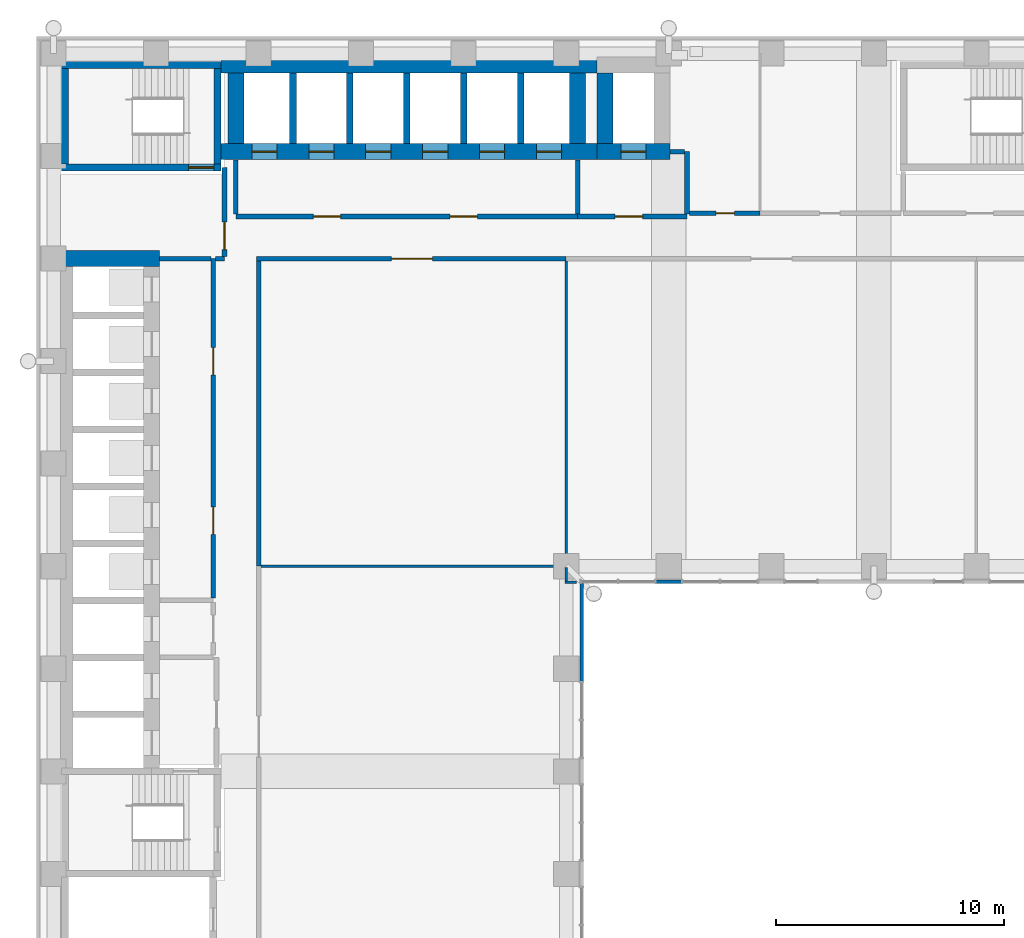
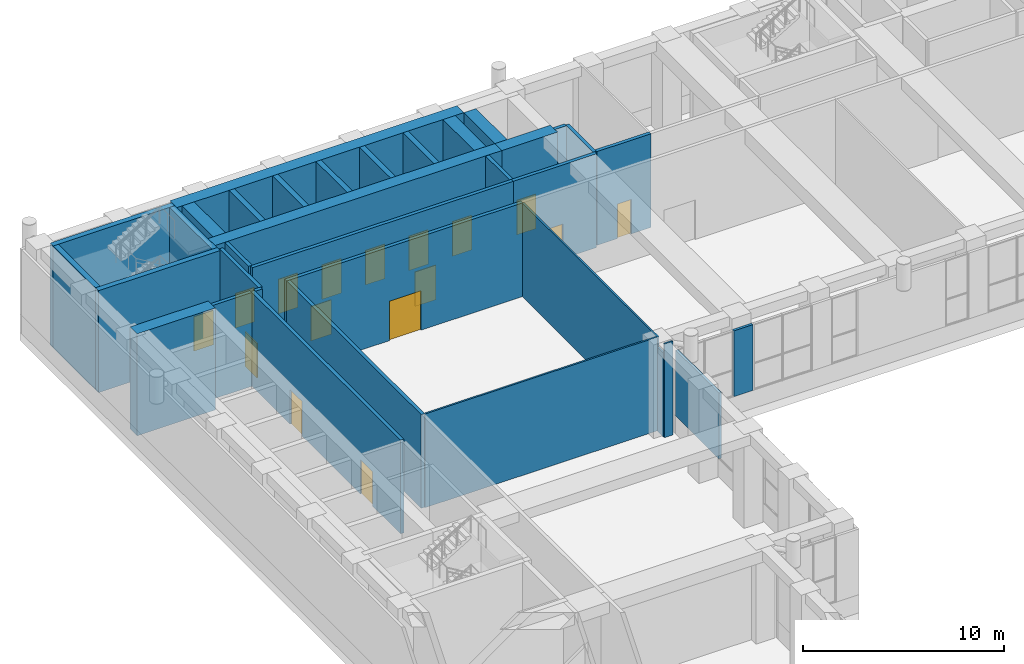
# One storey, part 15 of 22: 35 walls, 16 doors, 16 openings.
"""IFC4 building model written with IfcOpenShell, lengths in metres."""

import ifcopenshell
import ifcopenshell.guid

model = None  # the IFC model being written
_history = None  # IfcOwnerHistory: only IFC2X3 demands one
_inside = {}  # id of a spatial element -> (the spatial element, [elements in it])
_under = {}  # id of a project, library or spatial element -> (it, [spatial elements below it])
_declared = {}  # id of a project -> (the project, [libraries it declares])
_typed = {}  # id of a type object -> (the type object, [elements of that type])
_made_of = {}  # id of a material, layer set ... -> (it, [elements and type objects made of it])


def new_model(schema):
    """Start an empty IFC model of exactly this schema.

    Asked for "IFC4X3", IfcOpenShell would pick the latest addendum, in which some entities
    have other attributes; the version numbers below select the first issue.
    IFC2X3 requires an IfcOwnerHistory on every rooted entity: one is made here for all.
    """
    global model, _history
    if schema == "IFC4X3":
        model = ifcopenshell.file(schema_version=(4, 3, 0, 0))
    else:
        model = ifcopenshell.file(schema=schema)
    _inside.clear()
    _under.clear()
    _declared.clear()
    _typed.clear()
    _made_of.clear()
    _history = None
    if model.schema == "IFC2X3":
        org = make("IfcOrganization", Name="unknown")
        user = make(
            "IfcPersonAndOrganization",
            ThePerson=make("IfcPerson", FamilyName="unknown"),
            TheOrganization=org,
        )
        app = make(
            "IfcApplication",
            ApplicationDeveloper=org,
            Version="unknown",
            ApplicationFullName="unknown",
            ApplicationIdentifier="unknown",
        )
        _history = make(
            "IfcOwnerHistory",
            OwningUser=user,
            OwningApplication=app,
            ChangeAction="ADDED",
            CreationDate=0,
        )
    return model


def make(cls, **values):
    """One entity of the class cls with the attributes given. An attribute that is None is left unset."""
    return model.create_entity(
        cls, **{name: value for name, value in values.items() if value is not None}
    )


def rooted(cls, **values):
    """An entity with a GlobalId (a new one), such as an element, a storey or a relation."""
    return make(cls, GlobalId=ifcopenshell.guid.new(), OwnerHistory=_history, **values)


def si_unit(unit_type, name, prefix=None):
    """IfcSIUnit, for example si_unit("LENGTHUNIT", "METRE", prefix="MILLI")."""
    return make("IfcSIUnit", UnitType=unit_type, Prefix=prefix, Name=name)


def assignment(units):
    """IfcUnitAssignment: the units of a project."""
    return None if units is None else make("IfcUnitAssignment", Units=units)


def point(xyz):
    """IfcCartesianPoint."""
    return None if xyz is None else make("IfcCartesianPoint", Coordinates=xyz)


def direction(xyz):
    """IfcDirection."""
    return None if xyz is None else make("IfcDirection", DirectionRatios=xyz)


def frame(location, z_axis=None, x_axis=None):
    """IfcAxis2Placement3D, a coordinate frame: its origin and axes. An axis left out is left unset."""
    return make(
        "IfcAxis2Placement3D",
        Location=point(location),
        Axis=direction(z_axis),
        RefDirection=direction(x_axis),
    )


def frame_2d(location, x_axis=None):
    """IfcAxis2Placement2D, a coordinate frame in the plane: its origin and x axis."""
    return make(
        "IfcAxis2Placement2D", Location=point(location), RefDirection=direction(x_axis)
    )


def origin():
    """The frame at (0, 0, 0) with its axes left unset."""
    return frame((0.0, 0.0, 0.0))


def place(relative_to, where):
    """IfcLocalPlacement: puts the frame where relative to a parent placement (None: the world)."""
    return make(
        "IfcLocalPlacement", PlacementRelTo=relative_to, RelativePlacement=where
    )


def context(
    kind, dimensions, precision=None, world=None, true_north=None, identifier=None
):
    """IfcGeometricRepresentationContext, for example the 3D "Model" context."""
    return make(
        "IfcGeometricRepresentationContext",
        ContextIdentifier=identifier,
        ContextType=kind,
        CoordinateSpaceDimension=dimensions,
        Precision=precision,
        WorldCoordinateSystem=world,
        TrueNorth=true_north,
    )


def subcontext(parent, identifier, kind, view, scale=None):
    """IfcGeometricRepresentationSubContext, for example "Body" below "Model"."""
    return make(
        "IfcGeometricRepresentationSubContext",
        ContextIdentifier=identifier,
        ContextType=kind,
        ParentContext=parent,
        TargetScale=scale,
        TargetView=view,
    )


def project(units=None, contexts=None):
    """IfcProject with its units and contexts."""
    return rooted(
        "IfcProject",
        Name="project",
        RepresentationContexts=contexts,
        UnitsInContext=assignment(units),
    )


def spatial(cls, under=None, at=None, **own):
    """A site, building, storey or space (cls), placed at a placement, below another one or the project."""
    s = rooted(cls, ObjectPlacement=at, **own)
    if under is not None:
        _under.setdefault(under.id(), (under, []))[1].append(s)
    return s


def profile(cls, at=None, kind="AREA", **sizes):
    """A parametric profile (cls). Its sizes go by their IFC names, for example OverallWidth=200.0."""
    return make(cls, ProfileType=kind, Position=at, **sizes)


def rectangle(**sizes):
    """IfcRectangleProfileDef."""
    return profile("IfcRectangleProfileDef", **sizes)


def extrude(swept, where, along, depth):
    """IfcExtrudedAreaSolid: the profile swept, set in the frame where, extruded along a direction by depth."""
    return make(
        "IfcExtrudedAreaSolid",
        SweptArea=swept,
        Position=where,
        ExtrudedDirection=direction(along),
        Depth=depth,
    )


def shape(context_of_items, identifier, shape_type, items):
    """IfcShapeRepresentation: the items that make up one representation, for example the "Body"."""
    return make(
        "IfcShapeRepresentation",
        ContextOfItems=context_of_items,
        RepresentationIdentifier=identifier,
        RepresentationType=shape_type,
        Items=items,
    )


def material(Name=None, Category=None):
    """IfcMaterial."""
    return make("IfcMaterial", Name=Name, Category=Category)


def layer(
    of_material, thickness, ventilated=None, Name=None, Category=None, Priority=None
):
    """IfcMaterialLayer: one layer of a wall or slab, of a material (None: an air gap)."""
    return make(
        "IfcMaterialLayer",
        Material=of_material,
        LayerThickness=thickness,
        IsVentilated=ventilated,
        Name=Name,
        Category=Category,
        Priority=Priority,
    )


def layer_set(layers, Name=None):
    """IfcMaterialLayerSet."""
    return make("IfcMaterialLayerSet", MaterialLayers=layers, LayerSetName=Name)


def made_of(thing, what):
    """Note that an element or type object is made of a material, layer set ...; save() writes the relation."""
    if what is not None:
        _made_of.setdefault(what.id(), (what, []))[1].append(thing)
    return thing


def type_object(cls, material=None, **own):
    """A type object (cls), such as IfcWallType, which elements share."""
    return made_of(rooted(cls, **own), material)


def element(
    cls,
    number,
    at=None,
    inside=None,
    cuts=None,
    type_object=None,
    material=None,
    context=None,
    identifier="Body",
    shape_type=None,
    held_by="IfcProductDefinitionShape",
    body=None,
    shapes=None,
    **own,
):
    """One element of the class cls, such as IfcWall. Its Tag is "e" and its number.

    at: its placement. inside: the storey or other place that contains it. cuts: it is an
    opening in that element (IfcRelVoidsElement). A single representation is given by context,
    identifier, shape_type and body (its items); several are given by shapes. held_by: the class
    of the entity that holds the representations. save() writes the other relations.
    """
    e = rooted(cls, Tag="e%d" % number, ObjectPlacement=at, **own)
    if body is not None:
        shapes = [shape(context, identifier, shape_type, body)]
    if shapes is not None:
        e.Representation = make(held_by, Representations=shapes)
    if inside is not None:
        _inside.setdefault(inside.id(), (inside, []))[1].append(e)
    if cuts is not None:
        rooted(
            "IfcRelVoidsElement", RelatingBuildingElement=cuts, RelatedOpeningElement=e
        )
    if type_object is not None:
        _typed.setdefault(type_object.id(), (type_object, []))[1].append(e)
    return made_of(e, material)


def fill(opening, filler):
    """IfcRelFillsElement: the door or window that sits in an opening."""
    return rooted(
        "IfcRelFillsElement",
        RelatingOpeningElement=opening,
        RelatedBuildingElement=filler,
    )


def aggregate(whole, parts):
    """IfcRelAggregates: a whole, such as a stair, and the parts it consists of."""
    return rooted("IfcRelAggregates", RelatingObject=whole, RelatedObjects=parts)


def save(model, path):
    """Write the relations noted so far, then the file.

    IfcRelAggregates (storeys below a building ...), IfcRelContainedInSpatialStructure (elements
    in a storey), IfcRelDefinesByType, IfcRelAssociatesMaterial and IfcRelDeclares: one each for
    every whole, place, type object, material and project.
    """
    for whole, parts in _under.values():
        aggregate(whole, parts)
    for where, things in _inside.values():
        rooted(
            "IfcRelContainedInSpatialStructure",
            RelatedElements=things,
            RelatingStructure=where,
        )
    for kind, things in _typed.values():
        rooted("IfcRelDefinesByType", RelatedObjects=things, RelatingType=kind)
    for what, things in _made_of.values():
        rooted("IfcRelAssociatesMaterial", RelatedObjects=things, RelatingMaterial=what)
    for by, libraries in _declared.values():
        rooted("IfcRelDeclares", RelatingContext=by, RelatedDefinitions=libraries)
    model.write(path)


model = new_model("IFC4")

# Units and contexts
model_context = context("Model", 3, precision=1e-05, world=origin(), true_north=direction((0.0, 1.0)))
body_context = subcontext(model_context, "Body", "Model", "MODEL_VIEW")
ifc_project = project(units=[si_unit("LENGTHUNIT", "METRE"), si_unit("AREAUNIT", "SQUARE_METRE"), si_unit("VOLUMEUNIT", "CUBIC_METRE"), si_unit("PLANEANGLEUNIT", "RADIAN"), si_unit("MASSUNIT", "GRAM", prefix="KILO")], contexts=[model_context])

# Site, building, storey
site_placement = place(None, origin())
site = spatial("IfcSite", under=ifc_project, at=site_placement, CompositionType="ELEMENT")
building_placement = place(site_placement, origin())
building = spatial("IfcBuilding", under=site, at=building_placement, Name="Firuza Court", CompositionType="ELEMENT")
storey_placement = place(building_placement, frame((0.0, 0.0, 113.60009765625)))
storey = spatial("IfcBuildingStorey", under=building, at=storey_placement, Name="L28", CompositionType="ELEMENT", Elevation=113.60009765625)

# Wall, opening, door
ifc_material_1 = material(Name="Concrete C60/75", Category="concrete")
ifc_layer_1 = layer(ifc_material_1, 0.300048828125)
ifc_layer_set_1 = layer_set([ifc_layer_1], Name="Concrete C60/75")
wall_type_1 = type_object("IfcWallType", Name="Core wall 300 C60/75", PredefinedType="SHEAR", material=ifc_layer_set_1)
wall_1_placement = place(storey_placement, frame((0.35009765625, 53.5, -0.5), z_axis=(0.0, 0.0, 1.0), x_axis=(1.0, 0.0, 0.0)))
wall_1 = element("IfcWall", 1, at=wall_1_placement, inside=storey, type_object=wall_type_1, Name="Core wall stair L28", PredefinedType="SHEAR", context=body_context, shape_type="SweptSolid", body=[
    extrude(rectangle(XDim=7.0, YDim=0.300048828125, at=frame_2d((3.5, 0.0))), origin(), (0.0, 0.0, 1.0), 6.199951171875),
])
opening_1_placement = place(wall_1_placement, frame((5.580078125, 0.0, 0.5)))
opening_1 = element("IfcOpeningElement", 2, at=opening_1_placement, cuts=wall_1, Name="Opening D28018", PredefinedType="OPENING", context=body_context, shape_type="SweptSolid", body=[
    extrude(rectangle(XDim=1.10009765625, YDim=2.10009765625, at=frame_2d((0.550048828125, 1.050048828125))), frame((0.0, 0.162109375, 0.0), z_axis=(0.0, -1.0, 0.0), x_axis=(1.0, 0.0, 0.0)), (0.0, 0.0, 1.0), 0.323974609375),
])
ifc_material_2 = material(Name="Timber door leaf in hardwood frame", Category="wood")
door_type_1 = type_object("IfcDoorType", Name="Stair door 1100", OperationType="SINGLE_SWING_LEFT", PredefinedType="DOOR", material=ifc_material_2)
door_1_placement = place(opening_1_placement, origin())
door_1 = element("IfcDoor", 3, at=door_1_placement, inside=storey, type_object=door_type_1, Name="Stair door S3", OperationType="SINGLE_SWING_RIGHT", OverallHeight=2.10009765625, OverallWidth=1.10009765625, PredefinedType="DOOR", context=body_context, shape_type="SweptSolid", body=[
    extrude(rectangle(XDim=1.10009765625, YDim=2.10009765625, at=frame_2d((0.550048828125, 1.050048828125))), frame((0.0, 0.02490234375, 0.0), z_axis=(0.0, -1.0, 0.0), x_axis=(1.0, 0.0, 0.0)), (0.0, 0.0, 1.0), 0.050048828125),
])
fill(opening_1, door_1)

# Walls
wall_2_placement = place(storey_placement, frame((0.35009765625, 58.0, -0.5), z_axis=(0.0, 0.0, 1.0), x_axis=(1.0, 0.0, 0.0)))
element("IfcWall", 4, at=wall_2_placement, inside=storey, type_object=wall_type_1, Name="Core wall stair L28", PredefinedType="SHEAR", context=body_context, shape_type="SweptSolid", body=[
    extrude(rectangle(XDim=7.0, YDim=0.300048828125, at=frame_2d((3.5, 0.0))), origin(), (0.0, 0.0, 1.0), 6.199951171875),
])
for number, where, z_axis, x_axis, name in (
    (5, (0.5, 53.64990234375, -0.5), (0.0, 0.0, 1.0), (0.0, 1.0, 0.0), "Core wall stair L28"),
    (6, (7.199951171875, 53.64990234375, -0.5), (0.0, 0.0, 1.0), (0.0, 1.0, 0.0), "Core wall stair L28"),
):
    element("IfcWall", number, at=place(storey_placement, frame(where, z_axis=z_axis, x_axis=x_axis)), inside=storey, type_object=wall_type_1, Name=name, PredefinedType="SHEAR", context=body_context, shape_type="SweptSolid", body=[
        extrude(rectangle(XDim=4.2001953125, YDim=0.300048828125, at=frame_2d((2.10009765625, 0.0))), origin(), (0.0, 0.0, 1.0), 6.199951171875),
    ])
for number, where, z_axis, x_axis, name in (
    (7, (10.5, 54.550048828125, -0.5), (0.0, 0.0, 1.0), (0.0, 1.0, 0.0), "Core wall lift shaft L28"),
    (8, (13.0, 54.550048828125, -0.5), (0.0, 0.0, 1.0), (0.0, 1.0, 0.0), "Core wall lift shaft L28"),
    (9, (15.5, 54.550048828125, -0.5), (0.0, 0.0, 1.0), (0.0, 1.0, 0.0), "Core wall lift shaft L28"),
    (10, (18.0, 54.550048828125, -0.5), (0.0, 0.0, 1.0), (0.0, 1.0, 0.0), "Core wall lift shaft L28"),
    (11, (20.5, 54.550048828125, -0.5), (0.0, 0.0, 1.0), (0.0, 1.0, 0.0), "Core wall lift shaft L28"),
):
    element("IfcWall", number, at=place(storey_placement, frame(where, z_axis=z_axis, x_axis=x_axis)), inside=storey, type_object=wall_type_1, Name=name, PredefinedType="SHEAR", context=body_context, shape_type="SweptSolid", body=[
        extrude(rectangle(XDim=3.099853515625, YDim=0.300048828125, at=frame_2d((1.5498046875, 0.0))), origin(), (0.0, 0.0, 1.0), 6.199951171875),
    ])
ifc_layer_2 = layer(ifc_material_1, 0.699951171875)
ifc_layer_set_2 = layer_set([ifc_layer_2], Name="Concrete C60/75")
wall_type_2 = type_object("IfcWallType", Name="Core wall 700 C60/75", PredefinedType="SHEAR", material=ifc_layer_set_2)
wall_3_placement = place(storey_placement, frame((0.14990234375, 49.5, -0.5), z_axis=(0.0, 0.0, 1.0), x_axis=(1.0, 0.0, 0.0)))
element("IfcWall", 12, at=wall_3_placement, inside=storey, type_object=wall_type_2, Name="Core wall lift shaft L28", PredefinedType="SHEAR", context=body_context, shape_type="SweptSolid", body=[
    extrude(rectangle(XDim=4.5, YDim=0.699951171875, at=frame_2d((2.25, 0.0))), origin(), (0.0, 0.0, 1.0), 6.199951171875),
])

# Wall, openings, doors
wall_4_placement = place(storey_placement, frame((7.35009765625, 54.199951171875, -0.5), z_axis=(0.0, 0.0, 1.0), x_axis=(1.0, 0.0, 0.0)))
wall_4 = element("IfcWall", 13, at=wall_4_placement, inside=storey, type_object=wall_type_2, Name="Core wall lift shaft L28", PredefinedType="SHEAR", context=body_context, shape_type="SweptSolid", body=[
    extrude(rectangle(XDim=16.5, YDim=0.699951171875, at=frame_2d((8.25, 0.0))), origin(), (0.0, 0.0, 1.0), 6.199951171875),
])
opening_2_placement = place(wall_4_placement, frame((1.35009765625, 0.0, 0.5)))
opening_2 = element("IfcOpeningElement", 14, at=opening_2_placement, cuts=wall_4, Name="Opening LD-LB1-28", PredefinedType="OPENING", context=body_context, shape_type="SweptSolid", body=[
    extrude(rectangle(XDim=1.10009765625, YDim=2.10009765625, at=frame_2d((0.550048828125, 1.050048828125))), frame((0.0, 0.36181640625, 0.0), z_axis=(0.0, -1.0, 0.0), x_axis=(1.0, 0.0, 0.0)), (0.0, 0.0, 1.0), 0.723876953125),
])
opening_3_placement = place(wall_4_placement, frame((3.85009765625, 0.0, 0.5)))
opening_3 = element("IfcOpeningElement", 15, at=opening_3_placement, cuts=wall_4, Name="Opening LD-LB2-28", PredefinedType="OPENING", context=body_context, shape_type="SweptSolid", body=[
    extrude(rectangle(XDim=1.10009765625, YDim=2.10009765625, at=frame_2d((0.550048828125, 1.050048828125))), frame((0.0, 0.36181640625, 0.0), z_axis=(0.0, -1.0, 0.0), x_axis=(1.0, 0.0, 0.0)), (0.0, 0.0, 1.0), 0.723876953125),
])
opening_4_placement = place(wall_4_placement, frame((6.35009765625, 0.0, 0.5)))
opening_4 = element("IfcOpeningElement", 16, at=opening_4_placement, cuts=wall_4, Name="Opening LD-LB3-28", PredefinedType="OPENING", context=body_context, shape_type="SweptSolid", body=[
    extrude(rectangle(XDim=1.10009765625, YDim=2.10009765625, at=frame_2d((0.550048828125, 1.050048828125))), frame((0.0, 0.36181640625, 0.0), z_axis=(0.0, -1.0, 0.0), x_axis=(1.0, 0.0, 0.0)), (0.0, 0.0, 1.0), 0.723876953125),
])
opening_5_placement = place(wall_4_placement, frame((8.85009765625, 0.0, 0.5)))
opening_5 = element("IfcOpeningElement", 17, at=opening_5_placement, cuts=wall_4, Name="Opening LD-LB4-28", PredefinedType="OPENING", context=body_context, shape_type="SweptSolid", body=[
    extrude(rectangle(XDim=1.10009765625, YDim=2.10009765625, at=frame_2d((0.550048828125, 1.050048828125))), frame((0.0, 0.36181640625, 0.0), z_axis=(0.0, -1.0, 0.0), x_axis=(1.0, 0.0, 0.0)), (0.0, 0.0, 1.0), 0.723876953125),
])
opening_6_placement = place(wall_4_placement, frame((11.35009765625, 0.0, 0.5)))
opening_6 = element("IfcOpeningElement", 18, at=opening_6_placement, cuts=wall_4, Name="Opening LD-LB5-28", PredefinedType="OPENING", context=body_context, shape_type="SweptSolid", body=[
    extrude(rectangle(XDim=1.10009765625, YDim=2.10009765625, at=frame_2d((0.550048828125, 1.050048828125))), frame((0.0, 0.36181640625, 0.0), z_axis=(0.0, -1.0, 0.0), x_axis=(1.0, 0.0, 0.0)), (0.0, 0.0, 1.0), 0.723876953125),
])
opening_7_placement = place(wall_4_placement, frame((13.85009765625, 0.0, 0.5)))
opening_7 = element("IfcOpeningElement", 19, at=opening_7_placement, cuts=wall_4, Name="Opening LD-LB6-28", PredefinedType="OPENING", context=body_context, shape_type="SweptSolid", body=[
    extrude(rectangle(XDim=1.10009765625, YDim=2.10009765625, at=frame_2d((0.550048828125, 1.050048828125))), frame((0.0, 0.36181640625, 0.0), z_axis=(0.0, -1.0, 0.0), x_axis=(1.0, 0.0, 0.0)), (0.0, 0.0, 1.0), 0.723876953125),
])
ifc_material_3 = material(Name="Stainless steel 1.4301 door leaf", Category="steel")
door_type_2 = type_object("IfcDoorType", Name="Lift landing door 1100", OperationType="SLIDING_TO_LEFT", PredefinedType="DOOR", material=ifc_material_3)
door_2_placement = place(opening_2_placement, origin())
door_2 = element("IfcDoor", 20, at=door_2_placement, inside=storey, type_object=door_type_2, Name="Landing door LB1", OperationType="SLIDING_TO_LEFT", OverallHeight=2.10009765625, OverallWidth=1.10009765625, PredefinedType="DOOR", context=body_context, shape_type="SweptSolid", body=[
    extrude(rectangle(XDim=1.10009765625, YDim=2.10009765625, at=frame_2d((0.550048828125, 1.050048828125))), frame((0.0, 0.02490234375, 0.0), z_axis=(0.0, -1.0, 0.0), x_axis=(1.0, 0.0, 0.0)), (0.0, 0.0, 1.0), 0.050048828125),
])
fill(opening_2, door_2)
door_3_placement = place(opening_3_placement, origin())
door_3 = element("IfcDoor", 21, at=door_3_placement, inside=storey, type_object=door_type_2, Name="Landing door LB2", OperationType="SLIDING_TO_LEFT", OverallHeight=2.10009765625, OverallWidth=1.10009765625, PredefinedType="DOOR", context=body_context, shape_type="SweptSolid", body=[
    extrude(rectangle(XDim=1.10009765625, YDim=2.10009765625, at=frame_2d((0.550048828125, 1.050048828125))), frame((0.0, 0.02490234375, 0.0), z_axis=(0.0, -1.0, 0.0), x_axis=(1.0, 0.0, 0.0)), (0.0, 0.0, 1.0), 0.050048828125),
])
fill(opening_3, door_3)
door_4_placement = place(opening_4_placement, origin())
door_4 = element("IfcDoor", 22, at=door_4_placement, inside=storey, type_object=door_type_2, Name="Landing door LB3", OperationType="SLIDING_TO_LEFT", OverallHeight=2.10009765625, OverallWidth=1.10009765625, PredefinedType="DOOR", context=body_context, shape_type="SweptSolid", body=[
    extrude(rectangle(XDim=1.10009765625, YDim=2.10009765625, at=frame_2d((0.550048828125, 1.050048828125))), frame((0.0, 0.02490234375, 0.0), z_axis=(0.0, -1.0, 0.0), x_axis=(1.0, 0.0, 0.0)), (0.0, 0.0, 1.0), 0.050048828125),
])
fill(opening_4, door_4)
door_5_placement = place(opening_5_placement, origin())
door_5 = element("IfcDoor", 23, at=door_5_placement, inside=storey, type_object=door_type_2, Name="Landing door LB4", OperationType="SLIDING_TO_LEFT", OverallHeight=2.10009765625, OverallWidth=1.10009765625, PredefinedType="DOOR", context=body_context, shape_type="SweptSolid", body=[
    extrude(rectangle(XDim=1.10009765625, YDim=2.10009765625, at=frame_2d((0.550048828125, 1.050048828125))), frame((0.0, 0.02490234375, 0.0), z_axis=(0.0, -1.0, 0.0), x_axis=(1.0, 0.0, 0.0)), (0.0, 0.0, 1.0), 0.050048828125),
])
fill(opening_5, door_5)
door_6_placement = place(opening_6_placement, origin())
door_6 = element("IfcDoor", 24, at=door_6_placement, inside=storey, type_object=door_type_2, Name="Landing door LB5", OperationType="SLIDING_TO_LEFT", OverallHeight=2.10009765625, OverallWidth=1.10009765625, PredefinedType="DOOR", context=body_context, shape_type="SweptSolid", body=[
    extrude(rectangle(XDim=1.10009765625, YDim=2.10009765625, at=frame_2d((0.550048828125, 1.050048828125))), frame((0.0, 0.02490234375, 0.0), z_axis=(0.0, -1.0, 0.0), x_axis=(1.0, 0.0, 0.0)), (0.0, 0.0, 1.0), 0.050048828125),
])
fill(opening_6, door_6)
door_7_placement = place(opening_7_placement, origin())
door_7 = element("IfcDoor", 25, at=door_7_placement, inside=storey, type_object=door_type_2, Name="Landing door LB6", OperationType="SLIDING_TO_LEFT", OverallHeight=2.10009765625, OverallWidth=1.10009765625, PredefinedType="DOOR", context=body_context, shape_type="SweptSolid", body=[
    extrude(rectangle(XDim=1.10009765625, YDim=2.10009765625, at=frame_2d((0.550048828125, 1.050048828125))), frame((0.0, 0.02490234375, 0.0), z_axis=(0.0, -1.0, 0.0), x_axis=(1.0, 0.0, 0.0)), (0.0, 0.0, 1.0), 0.050048828125),
])
fill(opening_7, door_7)

# Walls
wall_5_placement = place(storey_placement, frame((7.35009765625, 58.0, -0.5), z_axis=(0.0, 0.0, 1.0), x_axis=(1.0, 0.0, 0.0)))
element("IfcWall", 26, at=wall_5_placement, inside=storey, type_object=wall_type_2, Name="Core wall lift shaft L28", PredefinedType="SHEAR", context=body_context, shape_type="SweptSolid", body=[
    extrude(rectangle(XDim=16.5, YDim=0.699951171875, at=frame_2d((8.25, 0.0))), origin(), (0.0, 0.0, 1.0), 6.199951171875),
])
for number, where, z_axis, x_axis, name in (
    (27, (8.0, 54.550048828125, -0.5), (0.0, 0.0, 1.0), (0.0, 1.0, 0.0), "Core wall lift shaft L28"),
    (28, (23.0, 54.550048828125, -0.5), (0.0, 0.0, 1.0), (0.0, 1.0, 0.0), "Core wall lift shaft L28"),
):
    element("IfcWall", number, at=place(storey_placement, frame(where, z_axis=z_axis, x_axis=x_axis)), inside=storey, type_object=wall_type_2, Name=name, PredefinedType="SHEAR", context=body_context, shape_type="SweptSolid", body=[
        extrude(rectangle(XDim=3.099853515625, YDim=0.699951171875, at=frame_2d((1.5498046875, 0.0))), origin(), (0.0, 0.0, 1.0), 6.199951171875),
    ])

# Wall, opening, door
wall_6_placement = place(storey_placement, frame((23.85009765625, 54.199951171875, -0.5), z_axis=(0.0, 0.0, 1.0), x_axis=(1.0, 0.0, 0.0)))
wall_6 = element("IfcWall", 29, at=wall_6_placement, inside=storey, type_object=wall_type_2, Name="Core wall lift shaft L28", PredefinedType="SHEAR", context=body_context, shape_type="SweptSolid", body=[
    extrude(rectangle(XDim=3.199951171875, YDim=0.699951171875, at=frame_2d((1.60009765625, 0.0))), origin(), (0.0, 0.0, 1.0), 6.199951171875),
])
opening_8_placement = place(wall_6_placement, frame((1.050048828125, 0.0, 0.5)))
opening_8 = element("IfcOpeningElement", 30, at=opening_8_placement, cuts=wall_6, Name="Opening LD-FL3-28", PredefinedType="OPENING", context=body_context, shape_type="SweptSolid", body=[
    extrude(rectangle(XDim=1.10009765625, YDim=2.10009765625, at=frame_2d((0.550048828125, 1.050048828125))), frame((0.0, 0.36181640625, 0.0), z_axis=(0.0, -1.0, 0.0), x_axis=(1.0, 0.0, 0.0)), (0.0, 0.0, 1.0), 0.723876953125),
])
door_8_placement = place(opening_8_placement, origin())
door_8 = element("IfcDoor", 31, at=door_8_placement, inside=storey, type_object=door_type_2, Name="Landing door FL3", OperationType="SLIDING_TO_LEFT", OverallHeight=2.10009765625, OverallWidth=1.10009765625, PredefinedType="DOOR", context=body_context, shape_type="SweptSolid", body=[
    extrude(rectangle(XDim=1.10009765625, YDim=2.10009765625, at=frame_2d((0.550048828125, 1.050048828125))), frame((0.0, 0.02490234375, 0.0), z_axis=(0.0, -1.0, 0.0), x_axis=(1.0, 0.0, 0.0)), (0.0, 0.0, 1.0), 0.050048828125),
])
fill(opening_8, door_8)

# Walls
wall_7_placement = place(storey_placement, frame((24.199951171875, 54.550048828125, -0.5), z_axis=(0.0, 0.0, 1.0), x_axis=(0.0, 1.0, 0.0)))
element("IfcWall", 32, at=wall_7_placement, inside=storey, type_object=wall_type_2, Name="Core wall lift shaft L28", PredefinedType="SHEAR", context=body_context, shape_type="SweptSolid", body=[
    extrude(rectangle(XDim=3.099853515625, YDim=0.699951171875, at=frame_2d((1.5498046875, 0.0))), origin(), (0.0, 0.0, 1.0), 6.199951171875),
])
ifc_material_4 = material(Name="Blockwork, plastered both sides", Category="masonry")
ifc_layer_3 = layer(ifc_material_4, 0.199951171875)
ifc_layer_set_3 = layer_set([ifc_layer_3], Name="Blockwork, plastered both sides")
wall_type_3 = type_object("IfcWallType", Name="Corridor wall 200", PredefinedType="PARTITIONING", material=ifc_layer_set_3)
wall_8_placement = place(storey_placement, frame((9.0, 36.0, 0.0), z_axis=(0.0, 0.0, 1.0), x_axis=(0.0, 1.0, 0.0)))
element("IfcWall", 33, at=wall_8_placement, inside=storey, type_object=wall_type_3, Name="Corridor wall 200 L28", PredefinedType="PARTITIONING", context=body_context, shape_type="SweptSolid", body=[
    extrude(rectangle(XDim=13.39990234375, YDim=0.199951171875, at=frame_2d((6.699951171875, 0.0))), origin(), (0.0, 0.0, 1.0), 5.699951171875),
])

# Wall, opening, door
wall_9_placement = place(storey_placement, frame((8.89990234375, 49.5, 0.0), z_axis=(0.0, 0.0, 1.0), x_axis=(1.0, 0.0, 0.0)))
wall_9 = element("IfcWall", 34, at=wall_9_placement, inside=storey, type_object=wall_type_3, Name="Corridor wall 200 L28", PredefinedType="PARTITIONING", context=body_context, shape_type="SweptSolid", body=[
    extrude(rectangle(XDim=13.60009765625, YDim=0.199951171875, at=frame_2d((6.800048828125, 0.0))), origin(), (0.0, 0.0, 1.0), 5.699951171875),
])
opening_9_placement = place(wall_9_placement, frame((5.925048828125, 0.0, 0.0)))
opening_9 = element("IfcOpeningElement", 35, at=opening_9_placement, cuts=wall_9, Name="Opening D28027", PredefinedType="OPENING", context=body_context, shape_type="SweptSolid", body=[
    extrude(rectangle(XDim=1.800048828125, YDim=2.39990234375, at=frame_2d((0.89990234375, 1.199951171875))), frame((0.0, 0.11181640625, 0.0), z_axis=(0.0, -1.0, 0.0), x_axis=(1.0, 0.0, 0.0)), (0.0, 0.0, 1.0), 0.223876953125),
])
ifc_material_5 = material(Name="Timber door leaf in hardwood frame", Category="wood")
door_type_3 = type_object("IfcDoorType", Name="Double door 1800 EI 30", OperationType="DOUBLE_DOOR_SINGLE_SWING", PredefinedType="DOOR", material=ifc_material_5)
door_9_placement = place(opening_9_placement, origin())
door_9 = element("IfcDoor", 36, at=door_9_placement, inside=storey, type_object=door_type_3, Name="Double door", OperationType="DOUBLE_DOOR_SINGLE_SWING", OverallHeight=2.39990234375, OverallWidth=1.800048828125, PredefinedType="DOOR", context=body_context, shape_type="SweptSolid", body=[
    extrude(rectangle(XDim=1.800048828125, YDim=2.39990234375, at=frame_2d((0.89990234375, 1.199951171875))), frame((0.0, 0.02490234375, 0.0), z_axis=(0.0, -1.0, 0.0), x_axis=(1.0, 0.0, 0.0)), (0.0, 0.0, 1.0), 0.050048828125),
])
fill(opening_9, door_9)

wall_10_placement = place(storey_placement, frame((31.0, 51.5, 0.0), z_axis=(0.0, 0.0, 1.0), x_axis=(-1.0, 0.0, 0.0)))
wall_10 = element("IfcWall", 37, at=wall_10_placement, inside=storey, type_object=wall_type_3, Name="Corridor wall 200 L28", PredefinedType="PARTITIONING", context=body_context, shape_type="SweptSolid", body=[
    extrude(rectangle(XDim=3.10009765625, YDim=0.199951171875, at=frame_2d((1.550048828125, 0.0))), origin(), (0.0, 0.0, 1.0), 5.699951171875),
])
opening_10_placement = place(wall_10_placement, frame((1.125, 0.0, 0.0)))
opening_10 = element("IfcOpeningElement", 38, at=opening_10_placement, cuts=wall_10, Name="Opening D28031", PredefinedType="OPENING", context=body_context, shape_type="SweptSolid", body=[
    extrude(rectangle(XDim=0.800048828125, YDim=2.10009765625, at=frame_2d((0.39990234375, 1.050048828125))), frame((0.0, 0.11181640625, 0.0), z_axis=(0.0, -1.0, 0.0), x_axis=(1.0, 0.0, 0.0)), (0.0, 0.0, 1.0), 0.223876953125),
])
ifc_material_6 = material(Name="Timber door leaf in hardwood frame", Category="wood")
door_type_4 = type_object("IfcDoorType", Name="Room door 800 EI 30", OperationType="SINGLE_SWING_LEFT", PredefinedType="DOOR", material=ifc_material_6)
door_10_placement = place(opening_10_placement, frame((0.800048828125, 0.0, 0.0), z_axis=(0.0, 0.0, 1.0), x_axis=(-1.0, 0.0, 0.0)))
door_10 = element("IfcDoor", 39, at=door_10_placement, inside=storey, type_object=door_type_4, Name="Room door", OperationType="SINGLE_SWING_RIGHT", OverallHeight=2.10009765625, OverallWidth=0.800048828125, PredefinedType="DOOR", context=body_context, shape_type="SweptSolid", body=[
    extrude(rectangle(XDim=0.800048828125, YDim=2.10009765625, at=frame_2d((0.39990234375, 1.050048828125))), frame((0.0, 0.02490234375, 0.0), z_axis=(0.0, -1.0, 0.0), x_axis=(1.0, 0.0, 0.0)), (0.0, 0.0, 1.0), 0.050048828125),
])
fill(opening_10, door_10)

# Walls
ifc_material_7 = material(Name="Timber stud partition, plasterboard both sides", Category="wood")
ifc_layer_4 = layer(ifc_material_7, 0.10009765625)
ifc_layer_set_4 = layer_set([ifc_layer_4], Name="Timber stud partition, plasterboard both sides")
wall_type_4 = type_object("IfcWallType", Name="Partition wall 100", PredefinedType="PARTITIONING", material=ifc_layer_set_4)
wall_11_placement = place(storey_placement, frame((22.5, 35.35009765625, 0.0), z_axis=(0.0, 0.0, 1.0), x_axis=(0.0, 1.0, 0.0)))
element("IfcWall", 40, at=wall_11_placement, inside=storey, type_object=wall_type_4, Name="Partition wall 100 L28", PredefinedType="PARTITIONING", context=body_context, shape_type="SweptSolid", body=[
    extrude(rectangle(XDim=0.599853515625, YDim=0.10009765625, at=frame_2d((0.2998046875, 0.0))), origin(), (0.0, 0.0, 1.0), 5.099853515625),
])
wall_12_placement = place(storey_placement, frame((22.949951171875, 35.300048828125, 0.0), z_axis=(0.0, 0.0, 1.0), x_axis=(-1.0, 0.0, 0.0)))
element("IfcWall", 41, at=wall_12_placement, inside=storey, type_object=wall_type_4, Name="Partition wall 100 L28", PredefinedType="PARTITIONING", context=body_context, shape_type="SweptSolid", body=[
    extrude(rectangle(XDim=0.5, YDim=0.10009765625, at=frame_2d((0.25, 0.0))), origin(), (0.0, 0.0, 1.0), 5.699951171875),
])
wall_13_placement = place(storey_placement, frame((22.449951171875, 36.0, 0.0), z_axis=(0.0, 0.0, 1.0), x_axis=(-1.0, 0.0, 0.0)))
element("IfcWall", 42, at=wall_13_placement, inside=storey, type_object=wall_type_4, Name="Partition wall 100 L28", PredefinedType="PARTITIONING", context=body_context, shape_type="SweptSolid", body=[
    extrude(rectangle(XDim=13.349853515625, YDim=0.10009765625, at=frame_2d((6.6748046875, 0.0))), origin(), (0.0, 0.0, 1.0), 5.699951171875),
])
wall_14_placement = place(storey_placement, frame((22.5, 49.39990234375, 0.0), z_axis=(0.0, 0.0, 1.0), x_axis=(0.0, -1.0, 0.0)))
element("IfcWall", 43, at=wall_14_placement, inside=storey, type_object=wall_type_4, Name="Partition wall 100 L28", PredefinedType="PARTITIONING", context=body_context, shape_type="SweptSolid", body=[
    extrude(rectangle(XDim=13.449951171875, YDim=0.10009765625, at=frame_2d((6.72509765625, 0.0))), origin(), (0.0, 0.0, 1.0), 5.699951171875),
])
ifc_material_8 = material(Name="Ceramic tile", Category="ceramic")
ifc_layer_5 = layer(ifc_material_8, 0.02001953125)
ifc_material_9 = material(Name="Mineral wool insulation", Category="insulation")
ifc_layer_6 = layer(ifc_material_9, 0.050048828125)
ifc_material_10 = material(Name="Concrete C40/50 precast", Category="concrete")
ifc_layer_7 = layer(ifc_material_10, 0.080078125)
ifc_layer_set_5 = layer_set([ifc_layer_5, ifc_layer_6, ifc_layer_7], Name="Concrete C40/50 precast")
wall_type_5 = type_object("IfcWallType", Name="Precast cladding wall with turquoise TILE PANEL face 150", PredefinedType="STANDARD", material=ifc_layer_set_5)
wall_15_placement = place(storey_placement, frame((23.175048828125, 30.949951171875, 1.099853515625), z_axis=(0.0, 0.0, 1.0), x_axis=(0.0, 1.0, 0.0)))
element("IfcWall", 44, at=wall_15_placement, inside=storey, type_object=wall_type_5, Name="Facade wall L28 E", PredefinedType="STANDARD", context=body_context, shape_type="SweptSolid", body=[
    extrude(rectangle(XDim=4.300048828125, YDim=0.14990234375, at=frame_2d((2.14990234375, 0.0))), origin(), (0.0, 0.0, 1.0), 4.0),
])
wall_16_placement = place(storey_placement, frame((26.449951171875, 35.324951171875, 1.099853515625), z_axis=(0.0, 0.0, 1.0), x_axis=(1.0, 0.0, 0.0)))
element("IfcWall", 45, at=wall_16_placement, inside=storey, type_object=wall_type_5, Name="Facade wall L28 S", PredefinedType="STANDARD", context=body_context, shape_type="SweptSolid", body=[
    extrude(rectangle(XDim=1.10009765625, YDim=0.14990234375, at=frame_2d((0.550048828125, 0.0))), origin(), (0.0, 0.0, 1.0), 4.0),
])

# Wall, openings, doors
ifc_material_11 = material(Name="Blockwork, fire-rated", Category="masonry")
ifc_layer_8 = layer(ifc_material_11, 0.199951171875)
ifc_layer_set_6 = layer_set([ifc_layer_8], Name="Blockwork, fire-rated")
wall_type_6 = type_object("IfcWallType", Name="Shaft wall 200", PredefinedType="PARTITIONING", material=ifc_layer_set_6)
wall_17_placement = place(storey_placement, frame((8.0, 51.35009765625, 0.0), z_axis=(0.0, 0.0, 1.0), x_axis=(1.0, 0.0, 0.0)))
wall_17 = element("IfcWall", 46, at=wall_17_placement, inside=storey, type_object=wall_type_6, Name="Shaft wall 200 L28", PredefinedType="PARTITIONING", context=body_context, shape_type="SweptSolid", body=[
    extrude(rectangle(XDim=15.0, YDim=0.199951171875, at=frame_2d((7.5, 0.0))), origin(), (0.0, 0.0, 1.0), 5.699951171875),
])
opening_11_placement = place(wall_17_placement, frame((3.39990234375, 0.0, 0.0)))
opening_11 = element("IfcOpeningElement", 47, at=opening_11_placement, cuts=wall_17, Name="Opening D28006", PredefinedType="OPENING", context=body_context, shape_type="SweptSolid", body=[
    extrude(rectangle(XDim=1.199951171875, YDim=2.10009765625, at=frame_2d((0.60009765625, 1.050048828125))), frame((0.0, 0.11181640625, 0.0), z_axis=(0.0, -1.0, 0.0), x_axis=(1.0, 0.0, 0.0)), (0.0, 0.0, 1.0), 0.223876953125),
])
opening_12_placement = place(wall_17_placement, frame((9.39990234375, 0.0, 0.0)))
opening_12 = element("IfcOpeningElement", 48, at=opening_12_placement, cuts=wall_17, Name="Opening D28007", PredefinedType="OPENING", context=body_context, shape_type="SweptSolid", body=[
    extrude(rectangle(XDim=1.199951171875, YDim=2.10009765625, at=frame_2d((0.60009765625, 1.050048828125))), frame((0.0, 0.11181640625, 0.0), z_axis=(0.0, -1.0, 0.0), x_axis=(1.0, 0.0, 0.0)), (0.0, 0.0, 1.0), 0.223876953125),
])
ifc_material_12 = material(Name="Timber door leaf in hardwood frame", Category="wood")
door_type_5 = type_object("IfcDoorType", Name="Lobby door 1200", OperationType="SINGLE_SWING_LEFT", PredefinedType="DOOR", material=ifc_material_12)
door_11_placement = place(opening_11_placement, origin())
door_11 = element("IfcDoor", 49, at=door_11_placement, inside=storey, type_object=door_type_5, Name="Lobby door", OperationType="SINGLE_SWING_LEFT", OverallHeight=2.10009765625, OverallWidth=1.199951171875, PredefinedType="DOOR", context=body_context, shape_type="SweptSolid", body=[
    extrude(rectangle(XDim=1.199951171875, YDim=2.10009765625, at=frame_2d((0.60009765625, 1.050048828125))), frame((0.0, 0.02490234375, 0.0), z_axis=(0.0, -1.0, 0.0), x_axis=(1.0, 0.0, 0.0)), (0.0, 0.0, 1.0), 0.050048828125),
])
fill(opening_11, door_11)
door_12_placement = place(opening_12_placement, origin())
door_12 = element("IfcDoor", 50, at=door_12_placement, inside=storey, type_object=door_type_5, Name="Lobby door", OperationType="SINGLE_SWING_RIGHT", OverallHeight=2.10009765625, OverallWidth=1.199951171875, PredefinedType="DOOR", context=body_context, shape_type="SweptSolid", body=[
    extrude(rectangle(XDim=1.199951171875, YDim=2.10009765625, at=frame_2d((0.60009765625, 1.050048828125))), frame((0.0, 0.02490234375, 0.0), z_axis=(0.0, -1.0, 0.0), x_axis=(1.0, 0.0, 0.0)), (0.0, 0.0, 1.0), 0.050048828125),
])
fill(opening_12, door_12)

# Walls
for number, where, z_axis, x_axis, name in (
    (51, (23.0, 51.449951171875, 0.0), (0.0, 0.0, 1.0), (0.0, 1.0, 0.0), "Shaft wall 200 L28"),
    (52, (8.0, 51.449951171875, 0.0), (0.0, 0.0, 1.0), (0.0, 1.0, 0.0), "Shaft wall 200 L28"),
):
    element("IfcWall", number, at=place(storey_placement, frame(where, z_axis=z_axis, x_axis=x_axis)), inside=storey, type_object=wall_type_6, Name=name, PredefinedType="PARTITIONING", context=body_context, shape_type="SweptSolid", body=[
        extrude(rectangle(XDim=2.380126953125, YDim=0.199951171875, at=frame_2d((1.18994140625, 0.0))), origin(), (0.0, 0.0, 1.0), 5.699951171875),
    ])

# Wall, openings, doors
wall_18_placement = place(storey_placement, frame((7.0, 34.60009765625, 0.0), z_axis=(0.0, 0.0, 1.0), x_axis=(0.0, 1.0, 0.0)))
wall_18 = element("IfcWall", 53, at=wall_18_placement, inside=storey, type_object=wall_type_6, Name="Shaft wall 200 L28", PredefinedType="PARTITIONING", context=body_context, shape_type="SweptSolid", body=[
    extrude(rectangle(XDim=14.89990234375, YDim=0.199951171875, at=frame_2d((7.449951171875, 0.0))), origin(), (0.0, 0.0, 1.0), 5.699951171875),
])
opening_13_placement = place(wall_18_placement, frame((2.800048828125, 0.0, 0.0)))
opening_13 = element("IfcOpeningElement", 54, at=opening_13_placement, cuts=wall_18, Name="Opening D28004", PredefinedType="OPENING", context=body_context, shape_type="SweptSolid", body=[
    extrude(rectangle(XDim=1.199951171875, YDim=2.10009765625, at=frame_2d((0.60009765625, 1.050048828125))), frame((0.0, 0.11181640625, 0.0), z_axis=(0.0, -1.0, 0.0), x_axis=(1.0, 0.0, 0.0)), (0.0, 0.0, 1.0), 0.223876953125),
])
opening_14_placement = place(wall_18_placement, frame((9.800048828125, 0.0, 0.0)))
opening_14 = element("IfcOpeningElement", 55, at=opening_14_placement, cuts=wall_18, Name="Opening D28005", PredefinedType="OPENING", context=body_context, shape_type="SweptSolid", body=[
    extrude(rectangle(XDim=1.199951171875, YDim=2.10009765625, at=frame_2d((0.60009765625, 1.050048828125))), frame((0.0, 0.11181640625, 0.0), z_axis=(0.0, -1.0, 0.0), x_axis=(1.0, 0.0, 0.0)), (0.0, 0.0, 1.0), 0.223876953125),
])
door_13_placement = place(opening_13_placement, origin())
door_13 = element("IfcDoor", 56, at=door_13_placement, inside=storey, type_object=door_type_5, Name="Lobby door", OperationType="SINGLE_SWING_LEFT", OverallHeight=2.10009765625, OverallWidth=1.199951171875, PredefinedType="DOOR", context=body_context, shape_type="SweptSolid", body=[
    extrude(rectangle(XDim=1.199951171875, YDim=2.10009765625, at=frame_2d((0.60009765625, 1.050048828125))), frame((0.0, 0.02490234375, 0.0), z_axis=(0.0, -1.0, 0.0), x_axis=(1.0, 0.0, 0.0)), (0.0, 0.0, 1.0), 0.050048828125),
])
fill(opening_13, door_13)
door_14_placement = place(opening_14_placement, origin())
door_14 = element("IfcDoor", 57, at=door_14_placement, inside=storey, type_object=door_type_5, Name="Lobby door", OperationType="SINGLE_SWING_RIGHT", OverallHeight=2.10009765625, OverallWidth=1.199951171875, PredefinedType="DOOR", context=body_context, shape_type="SweptSolid", body=[
    extrude(rectangle(XDim=1.199951171875, YDim=2.10009765625, at=frame_2d((0.60009765625, 1.050048828125))), frame((0.0, 0.02490234375, 0.0), z_axis=(0.0, -1.0, 0.0), x_axis=(1.0, 0.0, 0.0)), (0.0, 0.0, 1.0), 0.050048828125),
])
fill(opening_14, door_14)

# Wall
wall_19_placement = place(storey_placement, frame((4.64990234375, 49.5, 0.0), z_axis=(0.0, 0.0, 1.0), x_axis=(1.0, 0.0, 0.0)))
element("IfcWall", 58, at=wall_19_placement, inside=storey, type_object=wall_type_6, Name="Shaft wall 200 L28", PredefinedType="PARTITIONING", context=body_context, shape_type="SweptSolid", body=[
    extrude(rectangle(XDim=2.25, YDim=0.199951171875, at=frame_2d((1.125, 0.0))), origin(), (0.0, 0.0, 1.0), 5.699951171875),
])

# Wall, opening, door
wall_20_placement = place(storey_placement, frame((23.0, 51.35009765625, 0.0), z_axis=(0.0, 0.0, 1.0), x_axis=(1.0, 0.0, 0.0)))
wall_20 = element("IfcWall", 59, at=wall_20_placement, inside=storey, type_object=wall_type_6, Name="Shaft wall 200 L28", PredefinedType="PARTITIONING", context=body_context, shape_type="SweptSolid", body=[
    extrude(rectangle(XDim=4.800048828125, YDim=0.199951171875, at=frame_2d((2.39990234375, 0.0))), origin(), (0.0, 0.0, 1.0), 5.699951171875),
])
opening_15_placement = place(wall_20_placement, frame((1.64990234375, 0.0, 0.0)))
opening_15 = element("IfcOpeningElement", 60, at=opening_15_placement, cuts=wall_20, Name="Opening D28003", PredefinedType="OPENING", context=body_context, shape_type="SweptSolid", body=[
    extrude(rectangle(XDim=1.199951171875, YDim=2.10009765625, at=frame_2d((0.60009765625, 1.050048828125))), frame((0.0, 0.11181640625, 0.0), z_axis=(0.0, -1.0, 0.0), x_axis=(1.0, 0.0, 0.0)), (0.0, 0.0, 1.0), 0.223876953125),
])
door_15_placement = place(opening_15_placement, origin())
door_15 = element("IfcDoor", 61, at=door_15_placement, inside=storey, type_object=door_type_5, Name="Fire-fighting lobby door", OperationType="SINGLE_SWING_LEFT", OverallHeight=2.10009765625, OverallWidth=1.199951171875, PredefinedType="DOOR", context=body_context, shape_type="SweptSolid", body=[
    extrude(rectangle(XDim=1.199951171875, YDim=2.10009765625, at=frame_2d((0.60009765625, 1.050048828125))), frame((0.0, 0.02490234375, 0.0), z_axis=(0.0, -1.0, 0.0), x_axis=(1.0, 0.0, 0.0)), (0.0, 0.0, 1.0), 0.050048828125),
])
fill(opening_15, door_15)

# Walls
wall_21_placement = place(storey_placement, frame((27.800048828125, 51.449951171875, 0.0), z_axis=(0.0, 0.0, 1.0), x_axis=(0.0, 1.0, 0.0)))
element("IfcWall", 62, at=wall_21_placement, inside=storey, type_object=wall_type_6, Name="Shaft wall 200 L28", PredefinedType="PARTITIONING", context=body_context, shape_type="SweptSolid", body=[
    extrude(rectangle(XDim=2.75, YDim=0.199951171875, at=frame_2d((1.375, 0.0))), origin(), (0.0, 0.0, 1.0), 5.699951171875),
])
wall_22_placement = place(storey_placement, frame((27.050048828125, 54.199951171875, 0.0), z_axis=(0.0, 0.0, 1.0), x_axis=(1.0, 0.0, 0.0)))
element("IfcWall", 63, at=wall_22_placement, inside=storey, type_object=wall_type_6, Name="Shaft wall 200 L28", PredefinedType="PARTITIONING", context=body_context, shape_type="SweptSolid", body=[
    extrude(rectangle(XDim=0.64990234375, YDim=0.199951171875, at=frame_2d((0.324951171875, 0.0))), origin(), (0.0, 0.0, 1.0), 5.699951171875),
])
wall_23_placement = place(storey_placement, frame((7.10009765625, 49.5, 0.0), z_axis=(0.0, 0.0, 1.0), x_axis=(1.0, 0.0, 0.0)))
element("IfcWall", 64, at=wall_23_placement, inside=storey, type_object=wall_type_6, Name="Shaft wall 200 L28", PredefinedType="PARTITIONING", context=body_context, shape_type="SweptSolid", body=[
    extrude(rectangle(XDim=0.39990234375, YDim=0.199951171875, at=frame_2d((0.199951171875, 0.0))), origin(), (0.0, 0.0, 1.0), 5.699951171875),
])

# Wall, opening, door
wall_24_placement = place(storey_placement, frame((7.5, 49.60009765625, 0.0), z_axis=(0.0, 0.0, 1.0), x_axis=(0.0, 1.0, 0.0)))
wall_24 = element("IfcWall", 65, at=wall_24_placement, inside=storey, type_object=wall_type_6, Name="Shaft wall 200 L28", PredefinedType="PARTITIONING", context=body_context, shape_type="SweptSolid", body=[
    extrude(rectangle(XDim=3.89990234375, YDim=0.199951171875, at=frame_2d((1.949951171875, 0.0))), origin(), (0.0, 0.0, 1.0), 5.699951171875),
])
opening_16_placement = place(wall_24_placement, frame((0.300048828125, 0.0, 0.0)))
opening_16 = element("IfcOpeningElement", 66, at=opening_16_placement, cuts=wall_24, Name="Opening D28001", PredefinedType="OPENING", context=body_context, shape_type="SweptSolid", body=[
    extrude(rectangle(XDim=1.199951171875, YDim=2.10009765625, at=frame_2d((0.60009765625, 1.050048828125))), frame((0.0, 0.11181640625, 0.0), z_axis=(0.0, -1.0, 0.0), x_axis=(1.0, 0.0, 0.0)), (0.0, 0.0, 1.0), 0.223876953125),
])
door_16_placement = place(opening_16_placement, origin())
door_16 = element("IfcDoor", 67, at=door_16_placement, inside=storey, type_object=door_type_5, Name="Lobby door", OperationType="SINGLE_SWING_LEFT", OverallHeight=2.10009765625, OverallWidth=1.199951171875, PredefinedType="DOOR", context=body_context, shape_type="SweptSolid", body=[
    extrude(rectangle(XDim=1.199951171875, YDim=2.10009765625, at=frame_2d((0.60009765625, 1.050048828125))), frame((0.0, 0.02490234375, 0.0), z_axis=(0.0, -1.0, 0.0), x_axis=(1.0, 0.0, 0.0)), (0.0, 0.0, 1.0), 0.050048828125),
])
fill(opening_16, door_16)

save(model, "model.ifc")
